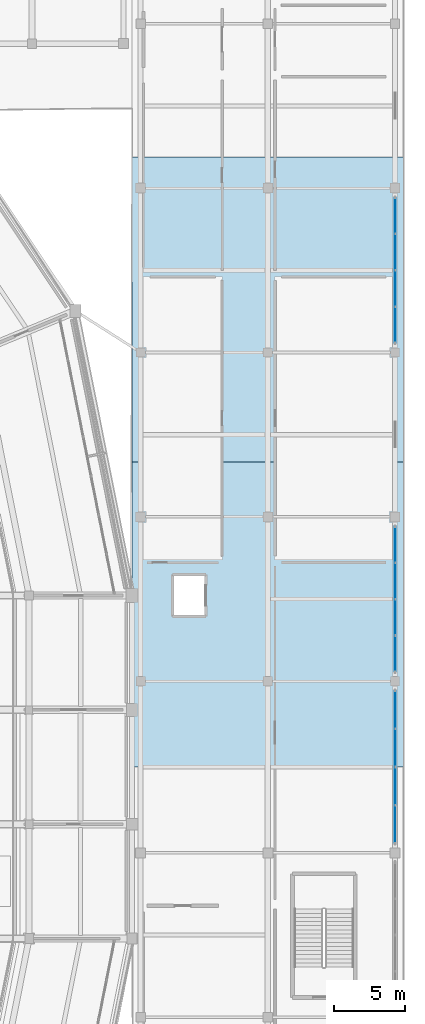
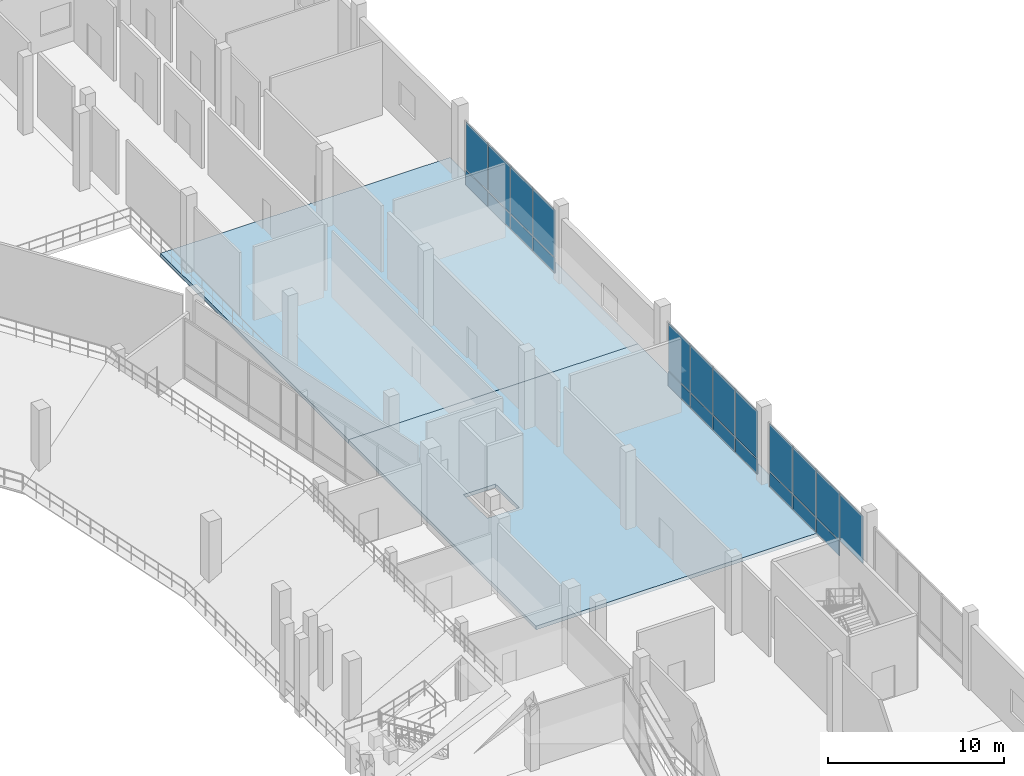
# One storey, part 68 of 127: 23 plates, 2 slabs, 3 elements without a shape of their own.
"""IFC4 building model written with IfcOpenShell, lengths in metres."""

from ifc_helpers import new_model, si_unit, direction, frame, origin, origin_2d, place, context, subcontext, project, spatial, polyline, rectangle, outline, extrude, material, layer, layer_set, type_object, element, aggregate, save


model = new_model("IFC4")

# Units and contexts
model_context = context("Model", 3, precision=1e-05, world=origin(), true_north=direction((0.0, 1.0)))
body_context = subcontext(model_context, "Body", "Model", "MODEL_VIEW")
ifc_project = project(units=[si_unit("LENGTHUNIT", "METRE"), si_unit("AREAUNIT", "SQUARE_METRE"), si_unit("VOLUMEUNIT", "CUBIC_METRE"), si_unit("PLANEANGLEUNIT", "RADIAN"), si_unit("MASSUNIT", "GRAM", prefix="KILO")], contexts=[model_context])

# Site, building, storey
site_placement = place(None, origin())
site = spatial("IfcSite", under=ifc_project, at=site_placement, CompositionType="ELEMENT")
building_placement = place(site_placement, origin())
building = spatial("IfcBuilding", under=site, at=building_placement, Name="Candeia Ridge Stadium", CompositionType="ELEMENT")
storey_placement = place(building_placement, frame((0.0, 0.0, 10.800048828125)))
storey = spatial("IfcBuildingStorey", under=building, at=storey_placement, Name="L02", CompositionType="ELEMENT", Elevation=10.800048828125)

# Curtain wall, plates
ifc_material_1 = material(Name="Aluminium Anodized Warm Bronze", Category="aluminium")
curtain_wall_type = type_object("IfcCurtainWallType", Name="Cardinal Entrance Gate Tall Glazed Curtain Wall", PredefinedType="NOTDEFINED", material=ifc_material_1)
curtain_wall_1_placement = place(storey_placement, origin())
curtain_wall_1 = element("IfcCurtainWall", 1, at=curtain_wall_1_placement, inside=storey, type_object=curtain_wall_type, Name="Unitised curtain wall CW-WNG-L02-108", PredefinedType="NOTDEFINED")
ifc_material_2 = material(Name="Laminated Acoustic Glazing", Category="glass")
ifc_layer_1 = layer(ifc_material_2, 0.035888671875, Name="Laminated Acoustic Glazing", Category="glass")
ifc_layer_set_1 = layer_set([ifc_layer_1], Name="Laminated Acoustic Glazing")
plate_type_1 = type_object("IfcPlateType", Name="Gate Tall Laminated Glass Panel GP3", PredefinedType="CURTAIN_PANEL", material=ifc_layer_set_1)
plate_1_placement = place(storey_placement, frame((211.39990234375, 78.9951171875, 1.139892578125), z_axis=(0.0, 0.0, 1.0), x_axis=(0.0, 1.0, 0.0)))
plate_1 = element("IfcPlate", 2, at=plate_1_placement, type_object=plate_type_1, Name="Curtain wall vision glass panel CW-WNG-L02-108-GP0", PredefinedType="CURTAIN_PANEL", context=body_context, shape_type="SweptSolid", body=[
    extrude(rectangle(XDim=2.60009765625, YDim=0.035888671875, at=origin_2d()), origin(), (0.0, 0.0, 1.0), 3.27490234375),
])
plate_2_placement = place(storey_placement, frame((211.39990234375, 81.6650390625, 1.139892578125), z_axis=(0.0, 0.0, 1.0), x_axis=(0.0, 1.0, 0.0)))
plate_2 = element("IfcPlate", 3, at=plate_2_placement, type_object=plate_type_1, Name="Curtain wall vision glass panel CW-WNG-L02-108-GP1", PredefinedType="CURTAIN_PANEL", context=body_context, shape_type="SweptSolid", body=[
    extrude(rectangle(XDim=2.60009765625, YDim=0.035888671875, at=origin_2d()), origin(), (0.0, 0.0, 1.0), 3.27490234375),
])
plate_3_placement = place(storey_placement, frame((211.39990234375, 84.3349609375, 1.139892578125), z_axis=(0.0, 0.0, 1.0), x_axis=(0.0, 1.0, 0.0)))
plate_3 = element("IfcPlate", 4, at=plate_3_placement, type_object=plate_type_1, Name="Curtain wall vision glass panel CW-WNG-L02-108-GP2", PredefinedType="CURTAIN_PANEL", context=body_context, shape_type="SweptSolid", body=[
    extrude(rectangle(XDim=2.60009765625, YDim=0.035888671875, at=origin_2d()), origin(), (0.0, 0.0, 1.0), 3.27490234375),
])
plate_4_placement = place(storey_placement, frame((211.39990234375, 87.0048828125, 1.139892578125), z_axis=(0.0, 0.0, 1.0), x_axis=(0.0, 1.0, 0.0)))
plate_4 = element("IfcPlate", 5, at=plate_4_placement, type_object=plate_type_1, Name="Curtain wall vision glass panel CW-WNG-L02-108-GP3", PredefinedType="CURTAIN_PANEL", context=body_context, shape_type="SweptSolid", body=[
    extrude(rectangle(XDim=2.60009765625, YDim=0.035888671875, at=origin_2d()), origin(), (0.0, 0.0, 1.0), 3.27490234375),
])

curtain_wall_2_placement = place(storey_placement, origin())
curtain_wall_2 = element("IfcCurtainWall", 6, at=curtain_wall_2_placement, inside=storey, type_object=curtain_wall_type, Name="Unitised curtain wall CW-WNG-L02-109", PredefinedType="NOTDEFINED")
plate_5_placement = place(storey_placement, frame((211.39990234375, 90.9326171875, 1.139892578125), z_axis=(0.0, 0.0, 1.0), x_axis=(0.0, 1.0, 0.0)))
plate_5 = element("IfcPlate", 7, at=plate_5_placement, type_object=plate_type_1, Name="Curtain wall vision glass panel CW-WNG-L02-109-GP0", PredefinedType="CURTAIN_PANEL", context=body_context, shape_type="SweptSolid", body=[
    extrude(rectangle(XDim=2.47509765625, YDim=0.035888671875, at=origin_2d()), origin(), (0.0, 0.0, 1.0), 3.27490234375),
])
plate_6_placement = place(storey_placement, frame((211.39990234375, 93.4775390625, 1.139892578125), z_axis=(0.0, 0.0, 1.0), x_axis=(0.0, 1.0, 0.0)))
plate_6 = element("IfcPlate", 8, at=plate_6_placement, type_object=plate_type_1, Name="Curtain wall vision glass panel CW-WNG-L02-109-GP1", PredefinedType="CURTAIN_PANEL", context=body_context, shape_type="SweptSolid", body=[
    extrude(rectangle(XDim=2.47509765625, YDim=0.035888671875, at=origin_2d()), origin(), (0.0, 0.0, 1.0), 3.27490234375),
])
plate_7_placement = place(storey_placement, frame((211.39990234375, 96.0224609375, 1.139892578125), z_axis=(0.0, 0.0, 1.0), x_axis=(0.0, 1.0, 0.0)))
plate_7 = element("IfcPlate", 9, at=plate_7_placement, type_object=plate_type_1, Name="Curtain wall vision glass panel CW-WNG-L02-109-GP2", PredefinedType="CURTAIN_PANEL", context=body_context, shape_type="SweptSolid", body=[
    extrude(rectangle(XDim=2.47509765625, YDim=0.035888671875, at=origin_2d()), origin(), (0.0, 0.0, 1.0), 3.27490234375),
])
plate_8_placement = place(storey_placement, frame((211.39990234375, 98.5673828125, 1.139892578125), z_axis=(0.0, 0.0, 1.0), x_axis=(0.0, 1.0, 0.0)))
plate_8 = element("IfcPlate", 10, at=plate_8_placement, type_object=plate_type_1, Name="Curtain wall vision glass panel CW-WNG-L02-109-GP3", PredefinedType="CURTAIN_PANEL", context=body_context, shape_type="SweptSolid", body=[
    extrude(rectangle(XDim=2.47509765625, YDim=0.035888671875, at=origin_2d()), origin(), (0.0, 0.0, 1.0), 3.27490234375),
])

curtain_wall_3_placement = place(storey_placement, origin())
curtain_wall_3 = element("IfcCurtainWall", 11, at=curtain_wall_3_placement, inside=storey, type_object=curtain_wall_type, Name="Unitised curtain wall CW-WNG-L02-110", PredefinedType="NOTDEFINED")
plate_9_placement = place(storey_placement, frame((211.39990234375, 113.9326171875, 1.139892578125), z_axis=(0.0, 0.0, 1.0), x_axis=(0.0, 1.0, 0.0)))
plate_9 = element("IfcPlate", 12, at=plate_9_placement, type_object=plate_type_1, Name="Curtain wall vision glass panel CW-WNG-L02-110-GP0", PredefinedType="CURTAIN_PANEL", context=body_context, shape_type="SweptSolid", body=[
    extrude(rectangle(XDim=2.47509765625, YDim=0.035888671875, at=origin_2d()), origin(), (0.0, 0.0, 1.0), 3.27490234375),
])
plate_10_placement = place(storey_placement, frame((211.39990234375, 116.4775390625, 1.139892578125), z_axis=(0.0, 0.0, 1.0), x_axis=(0.0, 1.0, 0.0)))
plate_10 = element("IfcPlate", 13, at=plate_10_placement, type_object=plate_type_1, Name="Curtain wall vision glass panel CW-WNG-L02-110-GP1", PredefinedType="CURTAIN_PANEL", context=body_context, shape_type="SweptSolid", body=[
    extrude(rectangle(XDim=2.47509765625, YDim=0.035888671875, at=origin_2d()), origin(), (0.0, 0.0, 1.0), 3.27490234375),
])
plate_11_placement = place(storey_placement, frame((211.39990234375, 119.0224609375, 1.139892578125), z_axis=(0.0, 0.0, 1.0), x_axis=(0.0, 1.0, 0.0)))
plate_11 = element("IfcPlate", 14, at=plate_11_placement, type_object=plate_type_1, Name="Curtain wall vision glass panel CW-WNG-L02-110-GP2", PredefinedType="CURTAIN_PANEL", context=body_context, shape_type="SweptSolid", body=[
    extrude(rectangle(XDim=2.47509765625, YDim=0.035888671875, at=origin_2d()), origin(), (0.0, 0.0, 1.0), 3.27490234375),
])
plate_12_placement = place(storey_placement, frame((211.39990234375, 121.5673828125, 1.139892578125), z_axis=(0.0, 0.0, 1.0), x_axis=(0.0, 1.0, 0.0)))
plate_12 = element("IfcPlate", 15, at=plate_12_placement, type_object=plate_type_1, Name="Curtain wall vision glass panel CW-WNG-L02-110-GP3", PredefinedType="CURTAIN_PANEL", context=body_context, shape_type="SweptSolid", body=[
    extrude(rectangle(XDim=2.47509765625, YDim=0.035888671875, at=origin_2d()), origin(), (0.0, 0.0, 1.0), 3.27490234375),
])

# Slabs
ifc_material_3 = material(Name="Concrete C40/50", Category="concrete")
ifc_layer_2 = layer(ifc_material_3, 0.25, Name="Concrete C40/50", Category="concrete")
ifc_layer_set_2 = layer_set([ifc_layer_2], Name="Concrete C40/50")
slab_type = type_object("IfcSlabType", Name="Hospitality & Museum Slab 250", PredefinedType="FLOOR", material=ifc_layer_set_2)
slab_1_placement = place(storey_placement, frame((0.0, 0.0, -0.25)))
element("IfcSlab", 16, at=slab_1_placement, inside=storey, type_object=slab_type, Name="Wing floor slab east SLB-L02-0254", PredefinedType="FLOOR", context=body_context, shape_type="SweptSolid", body=[
    extrude(outline(polyline([(193.0, 83.0), (193.0, 104.333251953125), (212.0, 104.333251953125), (212.0, 83.0), (193.0, 83.0)]), holes=[polyline([(198.050048828125, 93.64990234375), (198.050048828125, 96.35009765625), (195.949951171875, 96.35009765625), (195.949951171875, 93.64990234375), (198.050048828125, 93.64990234375)])]), origin(), (0.0, 0.0, 1.0), 0.25),
])
slab_2_placement = place(storey_placement, frame((0.0, 0.0, -0.25)))
element("IfcSlab", 17, at=slab_2_placement, inside=storey, type_object=slab_type, Name="Wing floor slab east SLB-L02-0255", PredefinedType="FLOOR", context=body_context, shape_type="SweptSolid", body=[
    extrude(outline(polyline([(193.0, 104.333251953125), (193.0, 125.666748046875), (212.0, 125.666748046875), (212.0, 104.333251953125), (193.0, 104.333251953125)])), origin(), (0.0, 0.0, 1.0), 0.25),
])

# Plate
ifc_material_4 = material(Name="Aluminium Insulated Spandrel", Category="aluminium")
ifc_layer_3 = layer(ifc_material_4, 0.06494140625, Name="Aluminium Insulated Spandrel", Category="aluminium")
ifc_layer_set_3 = layer_set([ifc_layer_3], Name="Aluminium Insulated Spandrel")
plate_type_2 = type_object("IfcPlateType", Name="Insulated Cedar-Tone Spandrel Panel SP3", PredefinedType="CURTAIN_PANEL", material=ifc_layer_set_3)
plate_13_placement = place(storey_placement, frame((211.39990234375, 81.6650390625, 0.0400390625), z_axis=(0.0, 0.0, 1.0), x_axis=(0.0, 1.0, 0.0)))
plate_13 = element("IfcPlate", 18, at=plate_13_placement, type_object=plate_type_2, Name="Curtain wall spandrel panel CW-WNG-L02-108-SP1", PredefinedType="CURTAIN_PANEL", context=body_context, shape_type="SweptSolid", body=[
    extrude(rectangle(XDim=2.60009765625, YDim=0.06494140625, at=origin_2d()), origin(), (0.0, 0.0, 1.0), 1.02001953125),
])

plate_14_placement = place(storey_placement, frame((211.39990234375, 84.3349609375, 0.0400390625), z_axis=(0.0, 0.0, 1.0), x_axis=(0.0, 1.0, 0.0)))
plate_14 = element("IfcPlate", 19, at=plate_14_placement, type_object=plate_type_2, Name="Curtain wall spandrel panel CW-WNG-L02-108-SP2", PredefinedType="CURTAIN_PANEL", context=body_context, shape_type="SweptSolid", body=[
    extrude(rectangle(XDim=2.60009765625, YDim=0.06494140625, at=origin_2d()), origin(), (0.0, 0.0, 1.0), 1.02001953125),
])

plate_15_placement = place(storey_placement, frame((211.39990234375, 87.0048828125, 0.0400390625), z_axis=(0.0, 0.0, 1.0), x_axis=(0.0, 1.0, 0.0)))
plate_15 = element("IfcPlate", 20, at=plate_15_placement, type_object=plate_type_2, Name="Curtain wall spandrel panel CW-WNG-L02-108-SP3", PredefinedType="CURTAIN_PANEL", context=body_context, shape_type="SweptSolid", body=[
    extrude(rectangle(XDim=2.60009765625, YDim=0.06494140625, at=origin_2d()), origin(), (0.0, 0.0, 1.0), 1.02001953125),
])

aggregate(curtain_wall_1, [plate_1, plate_13, plate_2, plate_14, plate_3, plate_15, plate_4])

plate_16_placement = place(storey_placement, frame((211.39990234375, 90.9326171875, 0.0400390625), z_axis=(0.0, 0.0, 1.0), x_axis=(0.0, 1.0, 0.0)))
plate_16 = element("IfcPlate", 21, at=plate_16_placement, type_object=plate_type_2, Name="Curtain wall spandrel panel CW-WNG-L02-109-SP0", PredefinedType="CURTAIN_PANEL", context=body_context, shape_type="SweptSolid", body=[
    extrude(rectangle(XDim=2.47509765625, YDim=0.06494140625, at=origin_2d()), origin(), (0.0, 0.0, 1.0), 1.02001953125),
])

plate_17_placement = place(storey_placement, frame((211.39990234375, 93.4775390625, 0.0400390625), z_axis=(0.0, 0.0, 1.0), x_axis=(0.0, 1.0, 0.0)))
plate_17 = element("IfcPlate", 22, at=plate_17_placement, type_object=plate_type_2, Name="Curtain wall spandrel panel CW-WNG-L02-109-SP1", PredefinedType="CURTAIN_PANEL", context=body_context, shape_type="SweptSolid", body=[
    extrude(rectangle(XDim=2.47509765625, YDim=0.06494140625, at=origin_2d()), origin(), (0.0, 0.0, 1.0), 1.02001953125),
])

plate_18_placement = place(storey_placement, frame((211.39990234375, 96.0224609375, 0.0400390625), z_axis=(0.0, 0.0, 1.0), x_axis=(0.0, 1.0, 0.0)))
plate_18 = element("IfcPlate", 23, at=plate_18_placement, type_object=plate_type_2, Name="Curtain wall spandrel panel CW-WNG-L02-109-SP2", PredefinedType="CURTAIN_PANEL", context=body_context, shape_type="SweptSolid", body=[
    extrude(rectangle(XDim=2.47509765625, YDim=0.06494140625, at=origin_2d()), origin(), (0.0, 0.0, 1.0), 1.02001953125),
])

plate_19_placement = place(storey_placement, frame((211.39990234375, 98.5673828125, 0.0400390625), z_axis=(0.0, 0.0, 1.0), x_axis=(0.0, 1.0, 0.0)))
plate_19 = element("IfcPlate", 24, at=plate_19_placement, type_object=plate_type_2, Name="Curtain wall spandrel panel CW-WNG-L02-109-SP3", PredefinedType="CURTAIN_PANEL", context=body_context, shape_type="SweptSolid", body=[
    extrude(rectangle(XDim=2.47509765625, YDim=0.06494140625, at=origin_2d()), origin(), (0.0, 0.0, 1.0), 1.02001953125),
])

aggregate(curtain_wall_2, [plate_16, plate_5, plate_17, plate_6, plate_18, plate_7, plate_19, plate_8])

plate_20_placement = place(storey_placement, frame((211.39990234375, 113.9326171875, 0.0400390625), z_axis=(0.0, 0.0, 1.0), x_axis=(0.0, 1.0, 0.0)))
plate_20 = element("IfcPlate", 25, at=plate_20_placement, type_object=plate_type_2, Name="Curtain wall spandrel panel CW-WNG-L02-110-SP0", PredefinedType="CURTAIN_PANEL", context=body_context, shape_type="SweptSolid", body=[
    extrude(rectangle(XDim=2.47509765625, YDim=0.06494140625, at=origin_2d()), origin(), (0.0, 0.0, 1.0), 1.02001953125),
])

plate_21_placement = place(storey_placement, frame((211.39990234375, 116.4775390625, 0.0400390625), z_axis=(0.0, 0.0, 1.0), x_axis=(0.0, 1.0, 0.0)))
plate_21 = element("IfcPlate", 26, at=plate_21_placement, type_object=plate_type_2, Name="Curtain wall spandrel panel CW-WNG-L02-110-SP1", PredefinedType="CURTAIN_PANEL", context=body_context, shape_type="SweptSolid", body=[
    extrude(rectangle(XDim=2.47509765625, YDim=0.06494140625, at=origin_2d()), origin(), (0.0, 0.0, 1.0), 1.02001953125),
])

plate_22_placement = place(storey_placement, frame((211.39990234375, 119.0224609375, 0.0400390625), z_axis=(0.0, 0.0, 1.0), x_axis=(0.0, 1.0, 0.0)))
plate_22 = element("IfcPlate", 27, at=plate_22_placement, type_object=plate_type_2, Name="Curtain wall spandrel panel CW-WNG-L02-110-SP2", PredefinedType="CURTAIN_PANEL", context=body_context, shape_type="SweptSolid", body=[
    extrude(rectangle(XDim=2.47509765625, YDim=0.06494140625, at=origin_2d()), origin(), (0.0, 0.0, 1.0), 1.02001953125),
])

plate_23_placement = place(storey_placement, frame((211.39990234375, 121.5673828125, 0.0400390625), z_axis=(0.0, 0.0, 1.0), x_axis=(0.0, 1.0, 0.0)))
plate_23 = element("IfcPlate", 28, at=plate_23_placement, type_object=plate_type_2, Name="Curtain wall spandrel panel CW-WNG-L02-110-SP3", PredefinedType="CURTAIN_PANEL", context=body_context, shape_type="SweptSolid", body=[
    extrude(rectangle(XDim=2.47509765625, YDim=0.06494140625, at=origin_2d()), origin(), (0.0, 0.0, 1.0), 1.02001953125),
])

aggregate(curtain_wall_3, [plate_20, plate_9, plate_21, plate_10, plate_22, plate_11, plate_23, plate_12])

save(model, "model.ifc")
